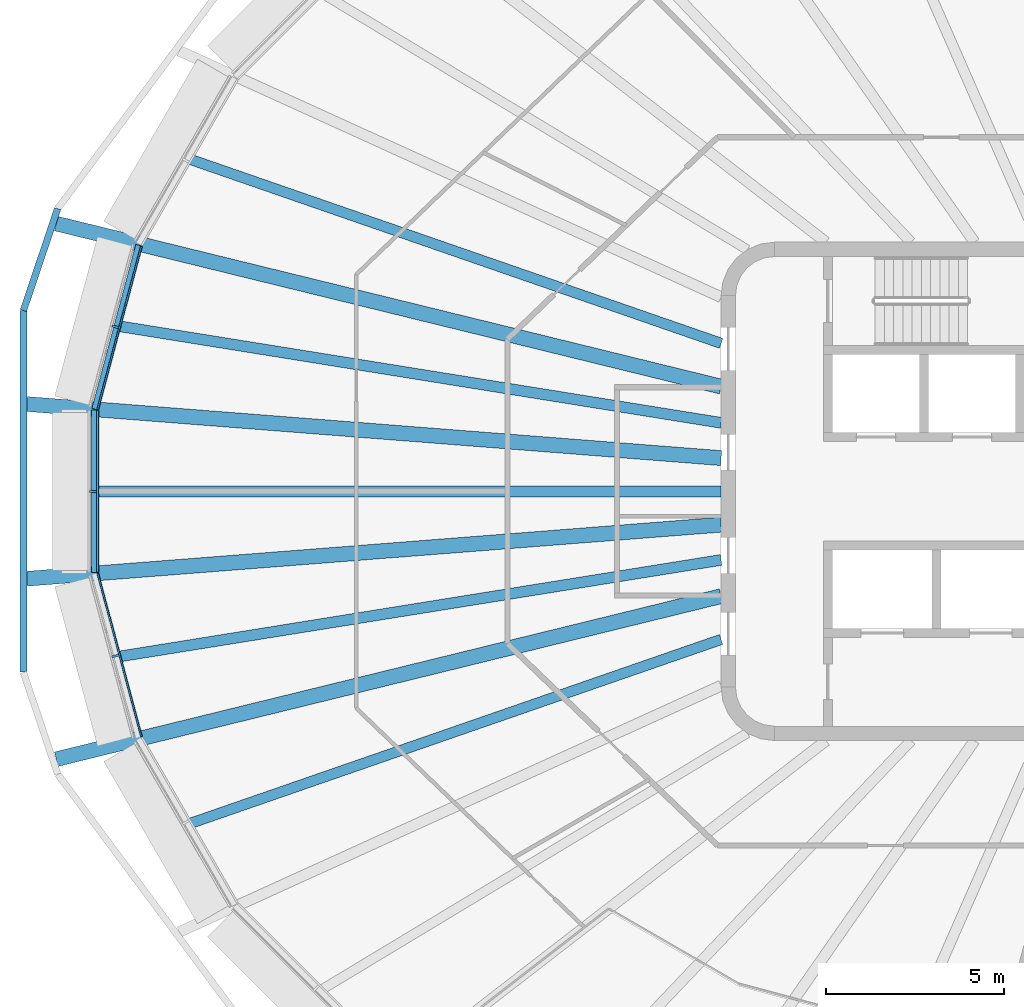
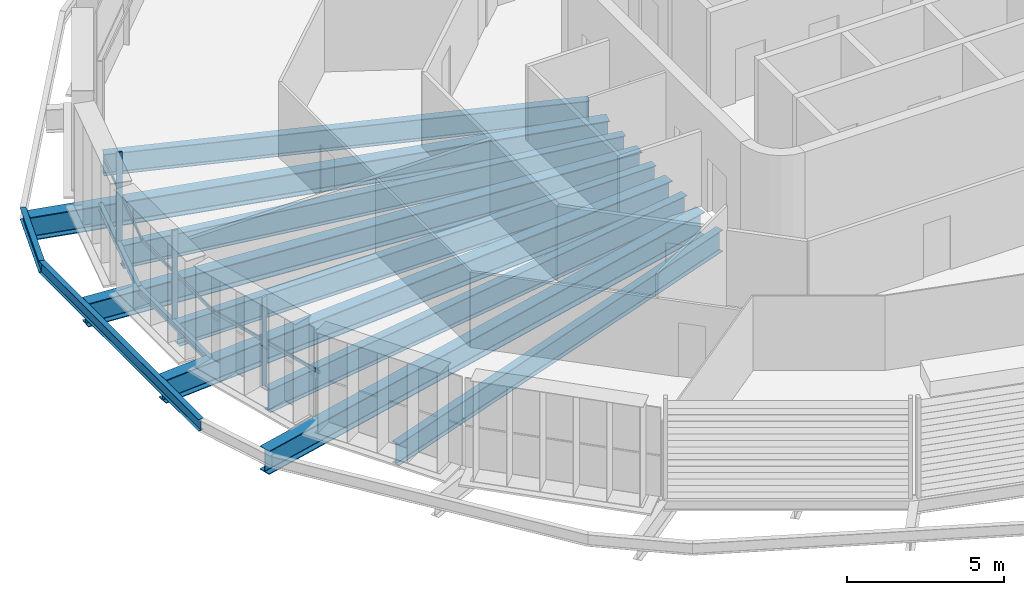
# One storey, part 3 of 20: 13 beams, 6 members, 3 elements without a shape of their own.
"""IFC4 building model written with IfcOpenShell, lengths in metres."""

from ifc_helpers import new_model, si_unit, direction, frame, origin, origin_2d, place, context, subcontext, project, spatial, rectangle, i_section, extrude, material, layer, layer_set, material_profile, profile_set, type_object, element, aggregate, save


model = new_model("IFC4")

# Units and contexts
model_context = context("Model", 3, precision=1e-05, world=origin(), true_north=direction((0.0, 1.0)))
body_context = subcontext(model_context, "Body", "Model", "MODEL_VIEW")
ifc_project = project(units=[si_unit("LENGTHUNIT", "METRE"), si_unit("AREAUNIT", "SQUARE_METRE"), si_unit("VOLUMEUNIT", "CUBIC_METRE"), si_unit("PLANEANGLEUNIT", "RADIAN"), si_unit("MASSUNIT", "GRAM", prefix="KILO")], contexts=[model_context])

# Site, building, storey
site_placement = place(None, origin())
site = spatial("IfcSite", under=ifc_project, at=site_placement, CompositionType="ELEMENT")
building_placement = place(site_placement, origin())
building = spatial("IfcBuilding", under=site, at=building_placement, Name="Sahrelin Media Tower", CompositionType="ELEMENT")
storey_placement = place(building_placement, frame((0.0, 0.0, 271.0)))
storey = spatial("IfcBuildingStorey", under=building, at=storey_placement, Name="L59", CompositionType="ELEMENT", Elevation=271.0)

# Beams
ifc_material_1 = material(Name="Steel S355", Category="steel")
ifc_material_profile_1 = material_profile(ifc_material_1, i_section(OverallWidth=0.14599609375, OverallDepth=0.25146484375, WebThickness=0.006103515625, FlangeThickness=0.008544921875, FilletRadius=0.007568359375, at=origin_2d()), Name="UB 254x146x31")
ifc_profile_set_1 = profile_set([ifc_material_profile_1], Name="Steel S355")
beam_type_1 = type_object("IfcBeamType", Name="Edge beam EB1", PredefinedType="BEAM", material=ifc_profile_set_1)
beam_1_placement = place(storey_placement, frame((-29.60791015625, -2.2841796875, -0.275634765625), z_axis=(0.0, 1.0, 0.0), x_axis=(-1.0, 0.0, 0.0)))
element("IfcBeam", 1, at=beam_1_placement, inside=storey, type_object=beam_type_1, Name="Edge beam L59-13", PredefinedType="BEAM", context=body_context, shape_type="SweptSolid", body=[
    extrude(i_section(OverallWidth=0.14599609375, OverallDepth=0.25146484375, WebThickness=0.006103515625, FlangeThickness=0.008544921875, FilletRadius=0.007568359375, at=origin_2d()), origin(), (0.0, 0.0, 1.0), 4.568359375),
])
beam_2_placement = place(storey_placement, frame((-29.60400390625, 2.31298828125, -0.275634765625), z_axis=(0.258765089841, 0.965940281943, 0.0), x_axis=(-0.965940281943, 0.258765089841, 0.0)))
element("IfcBeam", 2, at=beam_2_placement, inside=storey, type_object=beam_type_1, Name="Edge beam L59-14", PredefinedType="BEAM", context=body_context, shape_type="SweptSolid", body=[
    extrude(i_section(OverallWidth=0.14599609375, OverallDepth=0.25146484375, WebThickness=0.006103515625, FlangeThickness=0.008544921875, FilletRadius=0.007568359375, at=origin_2d()), origin(), (0.0, 0.0, 1.0), 4.768310546875),
])

# Curtain wall, member
ifc_material_2 = material(Name="Champagne anodised aluminium 6063-T6", Category="aluminium")
ifc_layer = layer(ifc_material_2, 0.14990234375)
ifc_layer_set = layer_set([ifc_layer], Name="Tower ribbon curtain wall")
curtain_wall_type = type_object("IfcCurtainWallType", Name="Tower ribbon curtain wall", PredefinedType="NOTDEFINED", material=ifc_layer_set)
curtain_wall_1_placement = place(storey_placement, frame((-29.132080078125, 4.65478515625, 0.0), z_axis=(0.0, 0.0, 1.0), x_axis=(1.0, 0.0, 0.0)))
curtain_wall_1 = element("IfcCurtainWall", 3, at=curtain_wall_1_placement, inside=storey, type_object=curtain_wall_type, Name="L59:CW:L59-11", PredefinedType="NOTDEFINED")
ifc_material_profile_2 = material_profile(ifc_material_2, rectangle(XDim=0.06005859375, YDim=0.199951171875, at=origin_2d()), Name="Mullion 60x200")
ifc_profile_set_2 = profile_set([ifc_material_profile_2], Name="Champagne anodised aluminium 6063-T6")
member_type_1 = type_object("IfcMemberType", Name="Mullion 60x200 CW1C", PredefinedType="MULLION", material=ifc_profile_set_2)
member_1_placement = place(storey_placement, frame((-29.01611328125, 4.62353515625, 0.0), z_axis=(0.0, 0.0, 1.0), x_axis=(-0.258817359244, -0.965926278012, 0.0)))
member_1 = element("IfcMember", 4, at=member_1_placement, type_object=member_type_1, Name="L59:CWM:L59-11", PredefinedType="MULLION", context=body_context, shape_type="SweptSolid", body=[
    extrude(rectangle(XDim=0.06005859375, YDim=0.199951171875, at=origin_2d()), origin(), (0.0, 0.0, 1.0), 3.448486328125),
])

curtain_wall_2_placement = place(storey_placement, frame((-29.7578125, 0.0, 0.0), z_axis=(0.0, 0.0, 1.0), x_axis=(1.0, 0.0, 0.0)))
curtain_wall_2 = element("IfcCurtainWall", 5, at=curtain_wall_2_placement, inside=storey, type_object=curtain_wall_type, Name="L59:CW:L59-12", PredefinedType="NOTDEFINED")
member_2_placement = place(storey_placement, frame((-29.637939453125, 0.0, 0.0), z_axis=(0.0, 0.0, 1.0), x_axis=(0.0, -1.0, 0.0)))
member_2 = element("IfcMember", 6, at=member_2_placement, type_object=member_type_1, Name="L59:CWM:L59-12", PredefinedType="MULLION", context=body_context, shape_type="SweptSolid", body=[
    extrude(rectangle(XDim=0.06005859375, YDim=0.199951171875, at=origin_2d()), origin(), (0.0, 0.0, 1.0), 3.448486328125),
])

curtain_wall_3_placement = place(storey_placement, frame((-29.1318359375, -4.65478515625, 0.0), z_axis=(0.0, 0.0, 1.0), x_axis=(1.0, 0.0, 0.0)))
curtain_wall_3 = element("IfcCurtainWall", 7, at=curtain_wall_3_placement, inside=storey, type_object=curtain_wall_type, Name="L59:CW:L59-13", PredefinedType="NOTDEFINED")
member_3_placement = place(storey_placement, frame((-29.01611328125, -4.62353515625, 0.0), z_axis=(0.0, 0.0, 1.0), x_axis=(0.258817359244, -0.965926278012, 0.0)))
member_3 = element("IfcMember", 8, at=member_3_placement, type_object=member_type_1, Name="L59:CWM:L59-13", PredefinedType="MULLION", context=body_context, shape_type="SweptSolid", body=[
    extrude(rectangle(XDim=0.06005859375, YDim=0.199951171875, at=origin_2d()), origin(), (0.0, 0.0, 1.0), 3.448486328125),
])

# Beams
ifc_material_profile_3 = material_profile(ifc_material_1, i_section(OverallWidth=0.41845703125, OverallDepth=0.911865234375, WebThickness=0.019287109375, FlangeThickness=0.031982421875, FilletRadius=0.024169921875, at=origin_2d()), Name="UB 914x419x343")
ifc_profile_set_3 = profile_set([ifc_material_profile_3], Name="Steel S355")
beam_type_2 = type_object("IfcBeamType", Name="Radial primary beam PB12", PredefinedType="BEAM", material=ifc_profile_set_3)
beam_3_placement = place(storey_placement, frame((-12.0, 2.94287109375, -0.60595703125), z_axis=(-0.971221651072, 0.238177464278, 0.0), x_axis=(-0.238177464278, -0.971221651072, 0.0)))
element("IfcBeam", 9, at=beam_3_placement, inside=storey, type_object=beam_type_2, Name="Radial beam L59-11", PredefinedType="BEAM", context=body_context, shape_type="SweptSolid", body=[
    extrude(i_section(OverallWidth=0.41845703125, OverallDepth=0.911865234375, WebThickness=0.019287109375, FlangeThickness=0.031982421875, FilletRadius=0.024169921875, at=origin_2d()), origin(), (0.0, 0.0, 1.0), 19.228759765625),
])
for number, where, z_axis, x_axis, name in (
    (10, (-12.0, 0.93505859375, -0.60595703125), (-0.996978458217, 0.077678528898, 0.0), (-0.077678528898, -0.996978458217, 0.0), "Radial beam L59-12"),
    (11, (-12.0, -0.93505859375, -0.60595703125), (-0.996978458217, -0.077678528898, 0.0), (0.077678528898, -0.996978458217, 0.0), "Radial beam L59-13"),
):
    element("IfcBeam", number, at=place(storey_placement, frame(where, z_axis=z_axis, x_axis=x_axis)), inside=storey, type_object=beam_type_2, Name=name, PredefinedType="BEAM", context=body_context, shape_type="SweptSolid", body=[
        extrude(i_section(OverallWidth=0.41845703125, OverallDepth=0.911865234375, WebThickness=0.019287109375, FlangeThickness=0.031982421875, FilletRadius=0.024169921875, at=origin_2d()), origin(), (0.0, 0.0, 1.0), 19.561767578125),
    ])
beam_4_placement = place(storey_placement, frame((-12.0, -2.94287109375, -0.60595703125), z_axis=(-0.971221651072, -0.238177464278, 0.0), x_axis=(0.238177464278, -0.971221651072, 0.0)))
element("IfcBeam", 12, at=beam_4_placement, inside=storey, type_object=beam_type_2, Name="Radial beam L59-14", PredefinedType="BEAM", context=body_context, shape_type="SweptSolid", body=[
    extrude(i_section(OverallWidth=0.41845703125, OverallDepth=0.911865234375, WebThickness=0.019287109375, FlangeThickness=0.031982421875, FilletRadius=0.024169921875, at=origin_2d()), origin(), (0.0, 0.0, 1.0), 19.228759765625),
])
ifc_material_profile_4 = material_profile(ifc_material_1, i_section(OverallWidth=0.291748046875, OverallDepth=0.8349609375, WebThickness=0.013916015625, FlangeThickness=0.018798828125, FilletRadius=0.017822265625, at=origin_2d()), Name="UB 838x292x176")
ifc_profile_set_4 = profile_set([ifc_material_profile_4], Name="Steel S355")
beam_type_3 = type_object("IfcBeamType", Name="Radial secondary beam SB10", PredefinedType="BEAM", material=ifc_profile_set_4)
for number, where, z_axis, x_axis, name in (
    (13, (-12.0, 4.15869140625, -0.5673828125), (-0.94486335914, 0.327464856977, 0.0), (-0.327464856977, -0.94486335914, 0.0), "Secondary beam L59-10"),
    (14, (-12.0, -4.15869140625, -0.5673828125), (-0.94486335914, -0.327464856977, 0.0), (0.327464856977, -0.94486335914, 0.0), "Secondary beam L59-14"),
):
    element("IfcBeam", number, at=place(storey_placement, frame(where, z_axis=z_axis, x_axis=x_axis)), inside=storey, type_object=beam_type_3, Name=name, PredefinedType="BEAM", context=body_context, shape_type="SweptSolid", body=[
        extrude(i_section(OverallWidth=0.291748046875, OverallDepth=0.8349609375, WebThickness=0.013916015625, FlangeThickness=0.018798828125, FilletRadius=0.017822265625, at=origin_2d()), origin(), (0.0, 0.0, 1.0), 15.76171875),
    ])
ifc_material_profile_5 = material_profile(ifc_material_1, i_section(OverallWidth=0.30322265625, OverallDepth=0.903076171875, WebThickness=0.01513671875, FlangeThickness=0.020263671875, FilletRadius=0.01904296875, at=origin_2d()), Name="UB 914x305x201")
ifc_profile_set_5 = profile_set([ifc_material_profile_5], Name="Steel S355")
beam_type_4 = type_object("IfcBeamType", Name="Radial secondary beam SB11", PredefinedType="BEAM", material=ifc_profile_set_5)
beam_5_placement = place(storey_placement, frame((-12.0, 1.92578125, -0.6015625), z_axis=(-0.987364974121, 0.158462638747, 0.0), x_axis=(-0.158462638747, -0.987364974121, 0.0)))
element("IfcBeam", 15, at=beam_5_placement, inside=storey, type_object=beam_type_4, Name="Secondary beam L59-11", PredefinedType="BEAM", context=body_context, shape_type="SweptSolid", body=[
    extrude(i_section(OverallWidth=0.30322265625, OverallDepth=0.903076171875, WebThickness=0.01513671875, FlangeThickness=0.020263671875, FilletRadius=0.01904296875, at=origin_2d()), origin(), (0.0, 0.0, 1.0), 17.12158203125),
])
beam_6_placement = place(storey_placement, frame((-12.0, 0.0, -0.6015625), z_axis=(-1.0, 0.0, 0.0), x_axis=(0.0, -1.0, 0.0)))
element("IfcBeam", 16, at=beam_6_placement, inside=storey, type_object=beam_type_4, Name="Secondary beam L59-12", PredefinedType="BEAM", context=body_context, shape_type="SweptSolid", body=[
    extrude(i_section(OverallWidth=0.30322265625, OverallDepth=0.903076171875, WebThickness=0.01513671875, FlangeThickness=0.020263671875, FilletRadius=0.01904296875, at=origin_2d()), origin(), (0.0, 0.0, 1.0), 17.534912109375),
])
beam_7_placement = place(storey_placement, frame((-12.0, -1.92578125, -0.6015625), z_axis=(-0.987364974121, -0.158462638747, 0.0), x_axis=(0.158462638747, -0.987364974121, 0.0)))
element("IfcBeam", 17, at=beam_7_placement, inside=storey, type_object=beam_type_4, Name="Secondary beam L59-13", PredefinedType="BEAM", context=body_context, shape_type="SweptSolid", body=[
    extrude(i_section(OverallWidth=0.30322265625, OverallDepth=0.903076171875, WebThickness=0.01513671875, FlangeThickness=0.020263671875, FilletRadius=0.01904296875, at=origin_2d()), origin(), (0.0, 0.0, 1.0), 17.12158203125),
])
ifc_material_profile_6 = material_profile(ifc_material_1, i_section(OverallWidth=0.1904296875, OverallDepth=0.45703125, WebThickness=0.009033203125, FlangeThickness=0.014404296875, FilletRadius=0.01025390625, at=origin_2d()), Name="UB 457x191x74")
ifc_profile_set_6 = profile_set([ifc_material_profile_6], Name="Steel S355")
beam_type_5 = type_object("IfcBeamType", Name="Tie chord TC5", PredefinedType="BEAM", material=ifc_profile_set_6)
beam_8_placement = place(storey_placement, frame((-30.634765625, 7.942138671875, -0.37841796875), z_axis=(-0.318942941821, -0.947773918117, 0.0), x_axis=(0.947773918117, -0.318942941821, 0.0)))
element("IfcBeam", 18, at=beam_8_placement, inside=storey, type_object=beam_type_5, Name="Tie chord L59-11", PredefinedType="BEAM", context=body_context, shape_type="SweptSolid", body=[
    extrude(i_section(OverallWidth=0.1904296875, OverallDepth=0.45703125, WebThickness=0.009033203125, FlangeThickness=0.014404296875, FilletRadius=0.01025390625, at=origin_2d()), origin(), (0.0, 0.0, 1.0), 3.019775390625),
])
beam_9_placement = place(storey_placement, frame((-31.597900390625, 5.080078125, -0.37841796875), z_axis=(0.0, -1.0, 0.0), x_axis=(1.0, 0.0, 0.0)))
element("IfcBeam", 19, at=beam_9_placement, inside=storey, type_object=beam_type_5, Name="Tie chord L59-12", PredefinedType="BEAM", context=body_context, shape_type="SweptSolid", body=[
    extrude(i_section(OverallWidth=0.1904296875, OverallDepth=0.45703125, WebThickness=0.009033203125, FlangeThickness=0.014404296875, FilletRadius=0.01025390625, at=origin_2d()), origin(), (0.0, 0.0, 1.0), 10.16015625),
])

# Member
ifc_material_profile_7 = material_profile(ifc_material_2, rectangle(XDim=0.050048828125, YDim=0.1201171875, at=origin_2d()), Name="Transom 50x120")
ifc_profile_set_7 = profile_set([ifc_material_profile_7], Name="Champagne anodised aluminium 6063-T6")
member_type_2 = type_object("IfcMemberType", Name="Transom 50x120 CW1C", PredefinedType="USERDEFINED", material=ifc_profile_set_7)
member_4_placement = place(storey_placement, frame((-28.2822265625, 6.879150390625, 1.60009765625), z_axis=(-0.258823672637, -0.965924586333, 0.0), x_axis=(0.965924586333, -0.258823672637, 0.0)))
member_4 = element("IfcMember", 20, at=member_4_placement, type_object=member_type_2, Name="L59:CWT:L59-11", ObjectType="TRANSOM", PredefinedType="USERDEFINED", context=body_context, shape_type="SweptSolid", body=[
    extrude(rectangle(XDim=0.050048828125, YDim=0.1201171875, at=origin_2d()), origin(), (0.0, 0.0, 1.0), 4.737060546875),
])

aggregate(curtain_wall_1, [member_1, member_4])

member_5_placement = place(storey_placement, frame((-29.512939453125, 2.2685546875, 1.60009765625), z_axis=(0.0, -1.0, 0.0), x_axis=(1.0, 0.0, 0.0)))
member_5 = element("IfcMember", 21, at=member_5_placement, type_object=member_type_2, Name="L59:CWT:L59-12", ObjectType="TRANSOM", PredefinedType="USERDEFINED", context=body_context, shape_type="SweptSolid", body=[
    extrude(rectangle(XDim=0.050048828125, YDim=0.1201171875, at=origin_2d()), origin(), (0.0, 0.0, 1.0), 4.537109375),
])

aggregate(curtain_wall_2, [member_2, member_5])

member_6_placement = place(storey_placement, frame((-29.50830078125, -2.303466796875, 1.60009765625), z_axis=(0.258823672637, -0.965924586333, 0.0), x_axis=(0.965924586333, 0.258823672637, 0.0)))
member_6 = element("IfcMember", 22, at=member_6_placement, type_object=member_type_2, Name="L59:CWT:L59-13", ObjectType="TRANSOM", PredefinedType="USERDEFINED", context=body_context, shape_type="SweptSolid", body=[
    extrude(rectangle(XDim=0.050048828125, YDim=0.1201171875, at=origin_2d()), origin(), (0.0, 0.0, 1.0), 4.737060546875),
])

aggregate(curtain_wall_3, [member_3, member_6])

save(model, "model.ifc")
